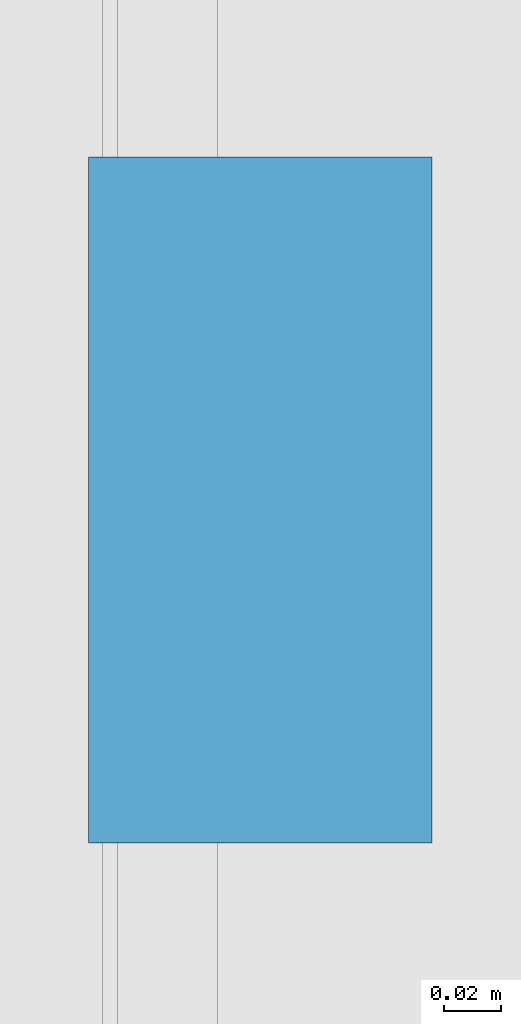
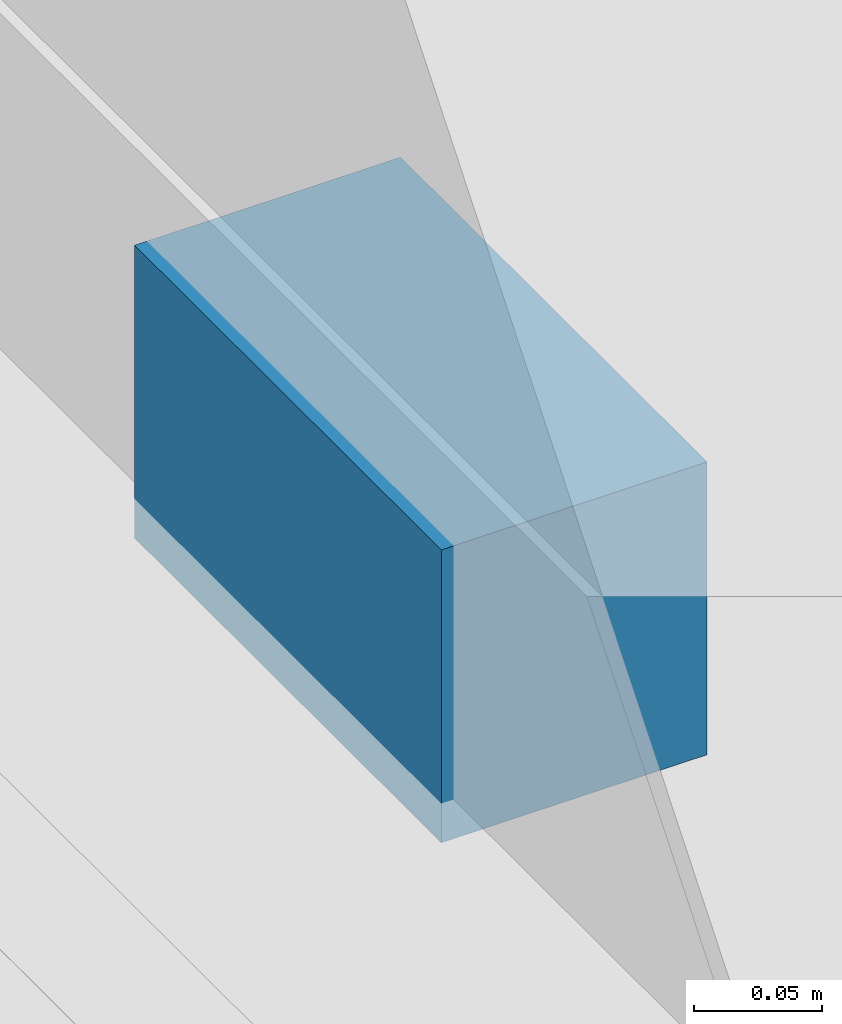
# One storey, part 76 of 113: 1 discrete accessory.
"""IFC4 building model written with IfcOpenShell, lengths in metres."""

from ifc_helpers import new_model, si_unit, direction, frame, origin, origin_2d, place, context, subcontext, project, spatial, rectangle, extrude, material, type_object, element, save


model = new_model("IFC4")

# Units and contexts
model_context = context("Model", 3, precision=1e-05, world=origin(), true_north=direction((0.0, 1.0)))
body_context = subcontext(model_context, "Body", "Model", "MODEL_VIEW")
ifc_project = project(units=[si_unit("LENGTHUNIT", "METRE"), si_unit("AREAUNIT", "SQUARE_METRE"), si_unit("VOLUMEUNIT", "CUBIC_METRE"), si_unit("PLANEANGLEUNIT", "RADIAN"), si_unit("MASSUNIT", "GRAM", prefix="KILO")], contexts=[model_context])

# Site, building, storey
site_placement = place(None, origin())
site = spatial("IfcSite", under=ifc_project, at=site_placement, CompositionType="ELEMENT")
building_placement = place(site_placement, origin())
building = spatial("IfcBuilding", under=site, at=building_placement, Name="Myrtia Square Station", CompositionType="ELEMENT")
storey_placement = place(building_placement, origin())
storey = spatial("IfcBuildingStorey", under=building, at=storey_placement, Name="L00", CompositionType="ELEMENT", Elevation=0.0)

# Discrete accessory
ifc_material = material(Name="Steel S355", Category="steel")
discrete_accessory_type = type_object("IfcDiscreteAccessoryType", Name="ACC-BRACKET-BRONZE", PredefinedType="BRACKET", material=ifc_material)
discrete_accessory_placement = place(storey_placement, frame((189.030029296875, 89.701904296875, 3.72998046875), z_axis=(0.0, 0.0, 1.0), x_axis=(0.0, 1.0, 0.0)))
element("IfcDiscreteAccessory", 1, at=discrete_accessory_placement, inside=storey, type_object=discrete_accessory_type, Name="Solar shading fixing bracket 039", PredefinedType="BRACKET", context=body_context, shape_type="SweptSolid", body=[
    extrude(rectangle(XDim=0.239990234375, YDim=0.1201171875, at=origin_2d()), origin(), (0.0, 0.0, 1.0), 0.139892578125),
])

save(model, "model.ifc")
